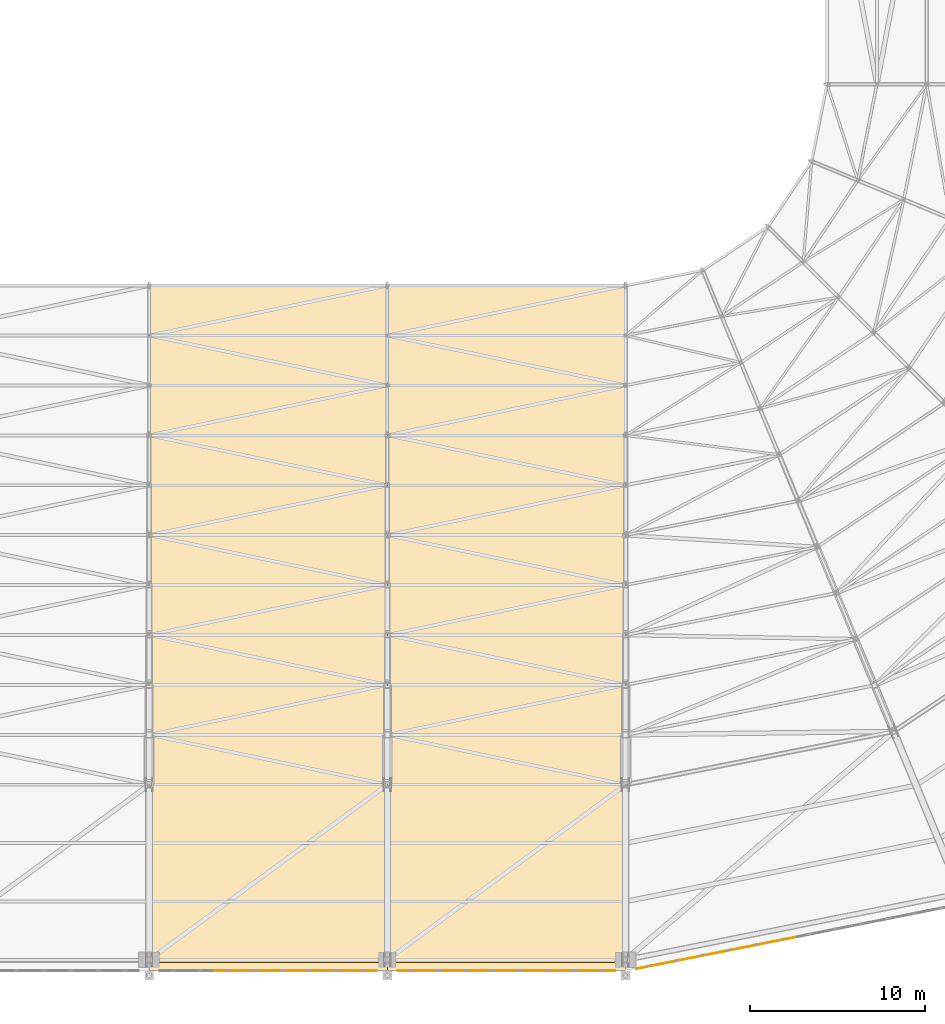
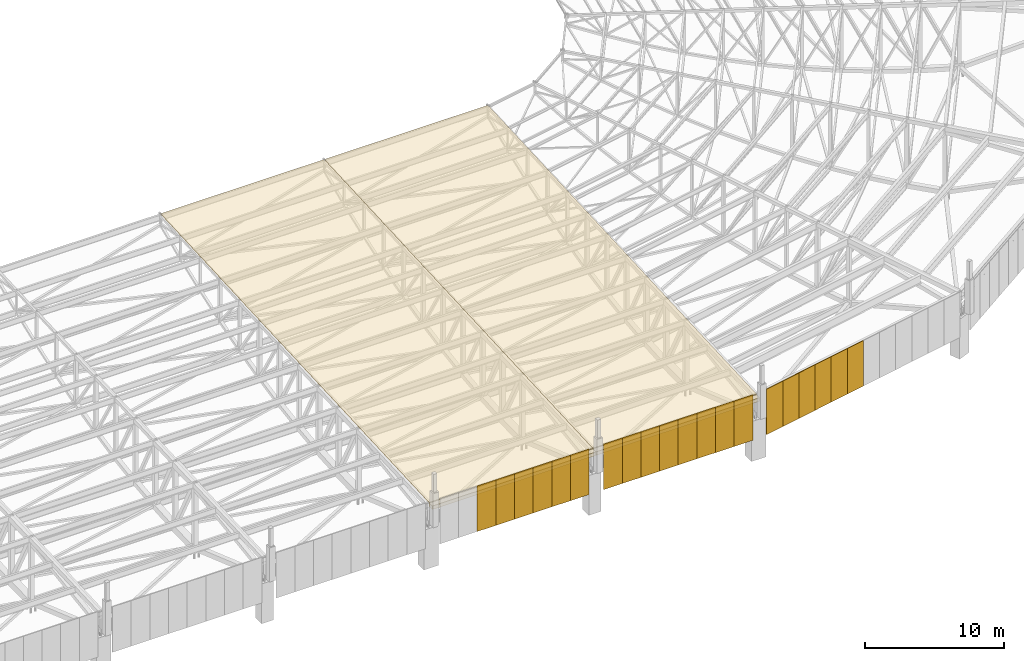
# One storey, part 272 of 278: 20 shading devices, 4 coverings.
"""IFC4 building model written with IfcOpenShell, lengths in metres."""

from ifc_helpers import new_model, si_unit, direction, frame, origin, origin_2d, place, context, subcontext, project, spatial, polyline, rectangle, outline, extrude, material, layer, layer_set, type_object, element, save


model = new_model("IFC4")

# Units and contexts
model_context = context("Model", 3, precision=1e-05, world=origin(), true_north=direction((0.0, 1.0)))
body_context = subcontext(model_context, "Body", "Model", "MODEL_VIEW")
ifc_project = project(units=[si_unit("LENGTHUNIT", "METRE"), si_unit("AREAUNIT", "SQUARE_METRE"), si_unit("VOLUMEUNIT", "CUBIC_METRE"), si_unit("PLANEANGLEUNIT", "RADIAN"), si_unit("MASSUNIT", "GRAM", prefix="KILO")], contexts=[model_context])

# Site, building, storey
site_placement = place(None, origin())
site = spatial("IfcSite", under=ifc_project, at=site_placement, CompositionType="ELEMENT")
building_placement = place(site_placement, origin())
building = spatial("IfcBuilding", under=site, at=building_placement, Name="Ogive Plaza Stadium", CompositionType="ELEMENT")
storey_placement = place(building_placement, frame((0.0, 0.0, 29.0)))
storey = spatial("IfcBuildingStorey", under=building, at=storey_placement, Name="Roof", CompositionType="ELEMENT", Elevation=29.0)

# Coverings
ifc_material_1 = material(Name="Titanium-zinc sheet", Category="metal")
ifc_layer_1 = layer(ifc_material_1, 0.010009765625)
ifc_layer_set_1 = layer_set([ifc_layer_1], Name="Eave box gutter")
covering_type_1 = type_object("IfcCoveringType", Name="Eave box gutter", PredefinedType="CLADDING", material=ifc_layer_set_1)
for number, where, z_axis, x_axis, name in (
    (1, (27.199951171875, -102.87744140625, 5.2001953125), (0.0, 0.0, 1.0), (-1.0, 0.0, 0.0), "EAVE GUTTER B12"),
    (2, (13.60009765625, -102.87744140625, 5.2001953125), (0.0, 0.0, 1.0), (-1.0, 0.0, 0.0), "EAVE GUTTER B13"),
):
    element("IfcCovering", number, at=place(storey_placement, frame(where, z_axis=z_axis, x_axis=x_axis)), inside=storey, type_object=covering_type_1, Name=name, PredefinedType="CLADDING", context=body_context, shape_type="SweptSolid", body=[
        extrude(rectangle(XDim=13.60009765625, YDim=0.449951171875, at=origin_2d()), origin(), (0.0, 0.0, 1.0), 0.300048828125),
    ])
ifc_material_2 = material(Name="PTFE-coated glass-fibre membrane", Category="glass")
ifc_layer_2 = layer(ifc_material_2, 0.050048828125)
ifc_layer_set_2 = layer_set([ifc_layer_2], Name="Roof membrane panel")
covering_type_2 = type_object("IfcCoveringType", Name="Roof membrane panel", PredefinedType="ROOFING", material=ifc_layer_set_2)
covering_1_placement = place(storey_placement, frame((34.0, -64.0, 7.47509765625), z_axis=(0.0, -0.049937616944, 0.998752338878), x_axis=(0.0, -0.998752338878, -0.049937616944)))
element("IfcCovering", 3, at=covering_1_placement, inside=storey, type_object=covering_type_2, Name="ROOF PANEL B12", PredefinedType="ROOFING", context=body_context, shape_type="SweptSolid", body=[
    extrude(outline(polyline([(0.0, 0.0), (38.7006290202315, 0.0), (38.7006290202315, -13.60009765625), (0.0, -13.60009765625), (0.0, 0.0)])), origin(), (0.0, 0.0, -1.0), 0.050048828125),
])
covering_2_placement = place(storey_placement, frame((20.39990234375, -64.0, 7.47509765625), z_axis=(0.0, -0.049937616944, 0.998752338878), x_axis=(0.0, -0.998752338878, -0.049937616944)))
element("IfcCovering", 4, at=covering_2_placement, inside=storey, type_object=covering_type_2, Name="ROOF PANEL B13", PredefinedType="ROOFING", context=body_context, shape_type="SweptSolid", body=[
    extrude(outline(polyline([(0.0, 0.0), (38.7006290202315, 0.0), (38.7006290202315, -13.599853515624998), (0.0, -13.599853515624998), (0.0, 0.0)])), origin(), (0.0, 0.0, -1.0), 0.050048828125),
])

# Shading devices
ifc_material_3 = material(Name="Perforated bronze-anodised aluminium", Category="aluminium")
ifc_layer_3 = layer(ifc_material_3, 0.050048828125)
ifc_layer_set_3 = layer_set([ifc_layer_3], Name="Tracery screen panel")
shading_device_type = type_object("IfcShadingDeviceType", Name="Tracery screen panel", PredefinedType="SHUTTER", material=ifc_layer_set_3)
for number, where, z_axis, x_axis, name in (
    (5, (42.931884765625, -101.360107421875, 2.0), (0.0, 0.0, 1.0), (-0.980785280403, -0.195090322016, 0.0), "TRACERY SCREEN B11 7"),
    (6, (41.41796875, -101.6611328125, 2.0), (0.0, 0.0, 1.0), (-0.980785280403, -0.195090322016, 0.0), "TRACERY SCREEN B11 8"),
    (7, (39.90380859375, -101.96240234375, 2.0), (0.0, 0.0, 1.0), (-0.980785280403, -0.195090322016, 0.0), "TRACERY SCREEN B11 9"),
    (8, (38.389892578125, -102.263427734375, 2.0), (0.0, 0.0, 1.0), (-0.980785280403, -0.195090322016, 0.0), "TRACERY SCREEN B11 10"),
    (9, (36.8759765625, -102.564697265625, 2.0), (0.0, 0.0, 1.0), (-0.980785280403, -0.195090322016, 0.0), "TRACERY SCREEN B11 11"),
    (10, (35.36181640625, -102.86572265625, 2.0), (0.0, 0.0, 1.0), (-0.980785280403, -0.195090322016, 0.0), "TRACERY SCREEN B11 12"),
):
    element("IfcShadingDevice", number, at=place(storey_placement, frame(where, z_axis=z_axis, x_axis=x_axis)), inside=storey, type_object=shading_device_type, Name=name, PredefinedType="SHUTTER", context=body_context, shape_type="SweptSolid", body=[
        extrude(rectangle(XDim=1.543701171875, YDim=0.050048828125, at=origin_2d()), origin(), (0.0, 0.0, 1.0), 4.0),
    ])
for number, where, z_axis, x_axis, name in (
    (11, (32.625, -103.12744140625, 2.0), (0.0, 0.0, 1.0), (-1.0, 0.0, 0.0), "TRACERY SCREEN B12 1"),
    (12, (31.074951171875, -103.12744140625, 2.0), (0.0, 0.0, 1.0), (-1.0, 0.0, 0.0), "TRACERY SCREEN B12 2"),
    (13, (29.52490234375, -103.12744140625, 2.0), (0.0, 0.0, 1.0), (-1.0, 0.0, 0.0), "TRACERY SCREEN B12 3"),
    (14, (27.97509765625, -103.12744140625, 2.0), (0.0, 0.0, 1.0), (-1.0, 0.0, 0.0), "TRACERY SCREEN B12 4"),
    (15, (26.425048828125, -103.12744140625, 2.0), (0.0, 0.0, 1.0), (-1.0, 0.0, 0.0), "TRACERY SCREEN B12 5"),
    (16, (24.875, -103.12744140625, 2.0), (0.0, 0.0, 1.0), (-1.0, 0.0, 0.0), "TRACERY SCREEN B12 6"),
    (17, (23.324951171875, -103.12744140625, 2.0), (0.0, 0.0, 1.0), (-1.0, 0.0, 0.0), "TRACERY SCREEN B12 7"),
    (18, (21.77490234375, -103.12744140625, 2.0), (0.0, 0.0, 1.0), (-1.0, 0.0, 0.0), "TRACERY SCREEN B12 8"),
    (19, (19.02490234375, -103.12744140625, 2.0), (0.0, 0.0, 1.0), (-1.0, 0.0, 0.0), "TRACERY SCREEN B13 1"),
    (20, (17.47509765625, -103.12744140625, 2.0), (0.0, 0.0, 1.0), (-1.0, 0.0, 0.0), "TRACERY SCREEN B13 2"),
    (21, (15.925048828125, -103.12744140625, 2.0), (0.0, 0.0, 1.0), (-1.0, 0.0, 0.0), "TRACERY SCREEN B13 3"),
    (22, (14.375, -103.12744140625, 2.0), (0.0, 0.0, 1.0), (-1.0, 0.0, 0.0), "TRACERY SCREEN B13 4"),
    (23, (12.824951171875, -103.12744140625, 2.0), (0.0, 0.0, 1.0), (-1.0, 0.0, 0.0), "TRACERY SCREEN B13 5"),
    (24, (11.27490234375, -103.12744140625, 2.0), (0.0, 0.0, 1.0), (-1.0, 0.0, 0.0), "TRACERY SCREEN B13 6"),
):
    element("IfcShadingDevice", number, at=place(storey_placement, frame(where, z_axis=z_axis, x_axis=x_axis)), inside=storey, type_object=shading_device_type, Name=name, PredefinedType="SHUTTER", context=body_context, shape_type="SweptSolid", body=[
        extrude(rectangle(XDim=1.550048828125, YDim=0.050048828125, at=origin_2d()), origin(), (0.0, 0.0, 1.0), 4.0),
    ])

save(model, "model.ifc")
